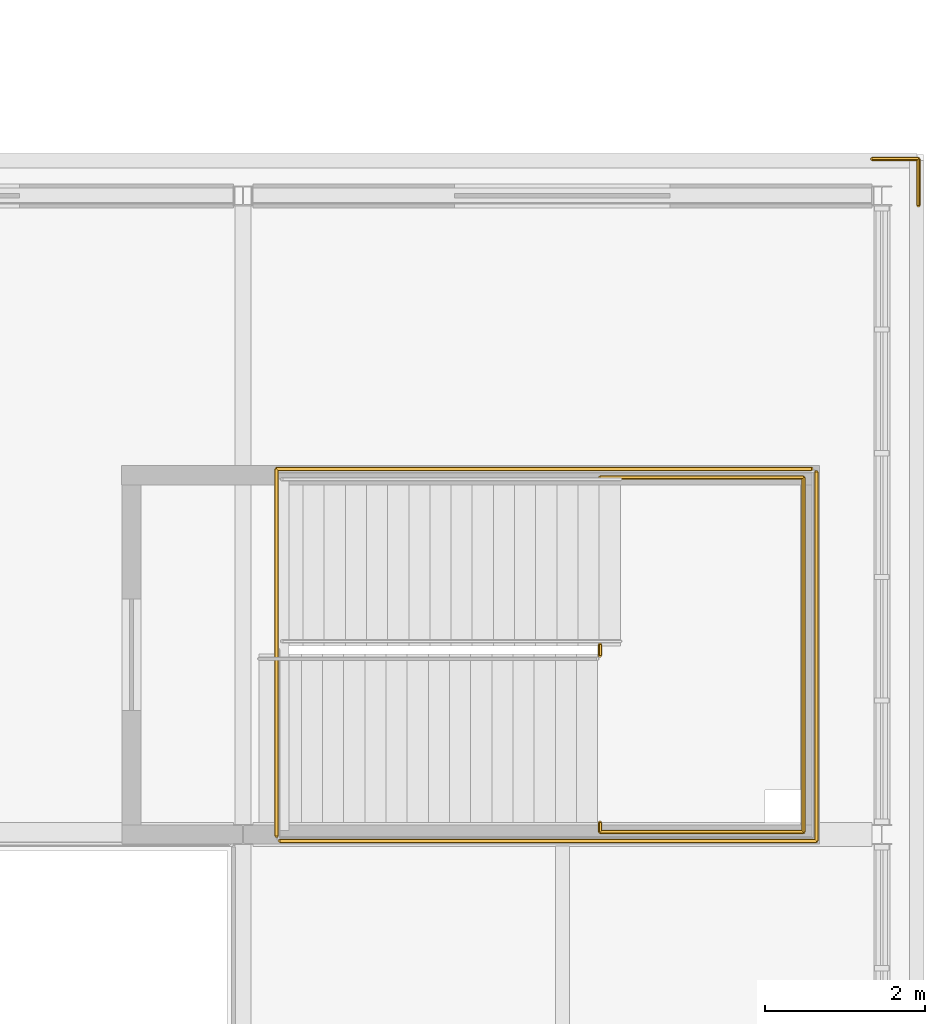
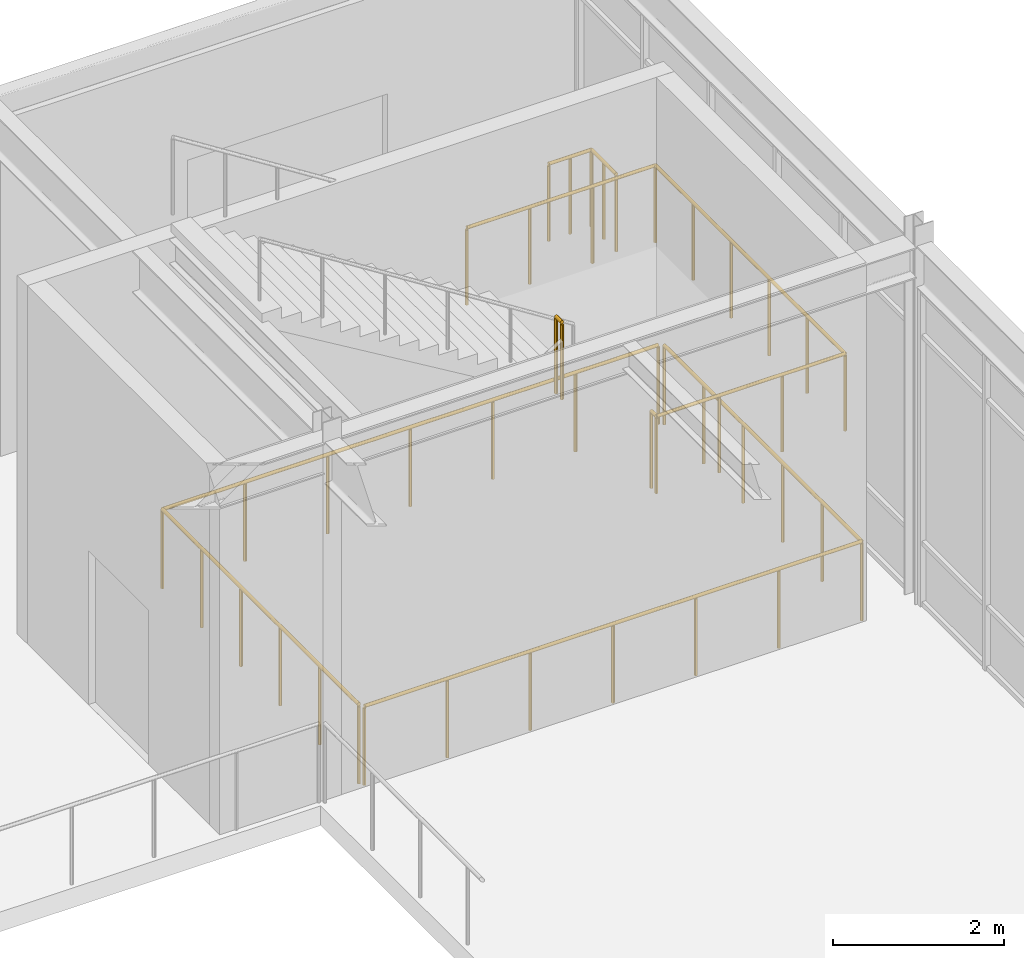
# One storey, part 183 of 184: 5 railings.
"""IFC4 building model written with IfcOpenShell, lengths in metres."""

from ifc_helpers import new_model, si_unit, direction, frame, origin, origin_2d, place, context, subcontext, project, spatial, circle, extrude, material, type_object, element, save


model = new_model("IFC4")

# Units and contexts
model_context = context("Model", 3, precision=1e-05, world=origin(), true_north=direction((0.0, 1.0)))
body_context = subcontext(model_context, "Body", "Model", "MODEL_VIEW")
ifc_project = project(units=[si_unit("LENGTHUNIT", "METRE"), si_unit("AREAUNIT", "SQUARE_METRE"), si_unit("VOLUMEUNIT", "CUBIC_METRE"), si_unit("PLANEANGLEUNIT", "RADIAN"), si_unit("MASSUNIT", "GRAM", prefix="KILO")], contexts=[model_context])

# Site, building, storey
site_placement = place(None, origin())
site = spatial("IfcSite", under=ifc_project, at=site_placement, CompositionType="ELEMENT")
building_placement = place(site_placement, origin())
building = spatial("IfcBuilding", under=site, at=building_placement, Name="Zhaolan Boulevard Law Courts", CompositionType="ELEMENT")
storey_placement = place(building_placement, frame((0.0, 0.0, 5.39990234375)))
storey = spatial("IfcBuildingStorey", under=building, at=storey_placement, Name="L01", CompositionType="ELEMENT", Elevation=5.39990234375)

# Railings
ifc_material_1 = material(Name="Powder-coated steel and tempered laminated glass", Category="steel")
railing_type_1 = type_object("IfcRailingType", Name="INTERIOR GUARDRAIL 1150", PredefinedType="GUARDRAIL", material=ifc_material_1)
railing_1_placement = place(storey_placement, frame((156.4599609375, 37.919921875, 0.0)))
element("IfcRailing", 1, at=railing_1_placement, inside=storey, type_object=railing_type_1, Name="Atrium Gallery Guardrail VG-1-V1-1A", PredefinedType="GUARDRAIL", context=body_context, shape_type="SweptSolid", body=[
    extrude(circle(Radius=0.02490234375, at=origin_2d()), frame((0.0, 0.0, 1.125), z_axis=(1.0, 0.0, 0.0), x_axis=(0.0, 1.0, 0.0)), (0.0, 0.0, 1.0), 6.719970703125),
    extrude(circle(Radius=0.02490234375, at=origin_2d()), frame((6.719970703125, 0.0, 1.125), z_axis=(0.0, 1.0, 0.0), x_axis=(-1.0, 0.0, 0.0)), (0.0, 0.0, 1.0), 4.6201171875),
    extrude(circle(Radius=0.02099609375, at=origin_2d()), origin(), (0.0, 0.0, 1.0), 1.099853515625),
    extrude(circle(Radius=0.02099609375, at=origin_2d()), frame((1.1201171875, 0.0, 0.0)), (0.0, 0.0, 1.0), 1.099853515625),
    extrude(circle(Radius=0.02099609375, at=origin_2d()), frame((2.239990234375, 0.0, 0.0)), (0.0, 0.0, 1.0), 1.099853515625),
    extrude(circle(Radius=0.02099609375, at=origin_2d()), frame((3.35986328125, 0.0, 0.0)), (0.0, 0.0, 1.0), 1.099853515625),
    extrude(circle(Radius=0.02099609375, at=origin_2d()), frame((4.47998046875, 0.0, 0.0)), (0.0, 0.0, 1.0), 1.099853515625),
    extrude(circle(Radius=0.02099609375, at=origin_2d()), frame((5.60009765625, 0.0, 0.0)), (0.0, 0.0, 1.0), 1.099853515625),
    extrude(circle(Radius=0.02099609375, at=origin_2d()), frame((6.719970703125, 0.0, 0.0)), (0.0, 0.0, 1.0), 1.099853515625),
    extrude(circle(Radius=0.02099609375, at=origin_2d()), frame((6.719970703125, 0.924072265625, 0.0)), (0.0, 0.0, 1.0), 1.099853515625),
    extrude(circle(Radius=0.02099609375, at=origin_2d()), frame((6.719970703125, 1.84814453125, 0.0)), (0.0, 0.0, 1.0), 1.099853515625),
    extrude(circle(Radius=0.02099609375, at=origin_2d()), frame((6.719970703125, 2.77197265625, 0.0)), (0.0, 0.0, 1.0), 1.099853515625),
    extrude(circle(Radius=0.02099609375, at=origin_2d()), frame((6.719970703125, 3.696044921875, 0.0)), (0.0, 0.0, 1.0), 1.099853515625),
    extrude(circle(Radius=0.02099609375, at=origin_2d()), frame((6.719970703125, 4.6201171875, 0.0)), (0.0, 0.0, 1.0), 1.099853515625),
])
railing_2_placement = place(storey_placement, frame((163.1201171875, 42.580078125, 0.0)))
element("IfcRailing", 2, at=railing_2_placement, inside=storey, type_object=railing_type_1, Name="Atrium Gallery Guardrail VG-1-V1-1B", PredefinedType="GUARDRAIL", context=body_context, shape_type="SweptSolid", body=[
    extrude(circle(Radius=0.02490234375, at=origin_2d()), frame((0.0, 0.0, 1.125), z_axis=(-1.0, 0.0, 0.0), x_axis=(0.0, -1.0, 0.0)), (0.0, 0.0, 1.0), 6.7001953125),
    extrude(circle(Radius=0.02490234375, at=origin_2d()), frame((-6.7001953125, 0.0, 1.125), z_axis=(0.0, -1.0, 0.0), x_axis=(1.0, 0.0, 0.0)), (0.0, 0.0, 1.0), 4.60009765625),
    extrude(circle(Radius=0.02099609375, at=origin_2d()), origin(), (0.0, 0.0, 1.0), 1.099853515625),
    extrude(circle(Radius=0.02099609375, at=origin_2d()), frame((-1.11669921875, 0.0, 0.0)), (0.0, 0.0, 1.0), 1.099853515625),
    extrude(circle(Radius=0.02099609375, at=origin_2d()), frame((-2.2333984375, 0.0, 0.0)), (0.0, 0.0, 1.0), 1.099853515625),
    extrude(circle(Radius=0.02099609375, at=origin_2d()), frame((-3.35009765625, 0.0, 0.0)), (0.0, 0.0, 1.0), 1.099853515625),
    extrude(circle(Radius=0.02099609375, at=origin_2d()), frame((-4.466796875, 0.0, 0.0)), (0.0, 0.0, 1.0), 1.099853515625),
    extrude(circle(Radius=0.02099609375, at=origin_2d()), frame((-5.58349609375, 0.0, 0.0)), (0.0, 0.0, 1.0), 1.099853515625),
    extrude(circle(Radius=0.02099609375, at=origin_2d()), frame((-6.7001953125, 0.0, 0.0)), (0.0, 0.0, 1.0), 1.099853515625),
    extrude(circle(Radius=0.02099609375, at=origin_2d()), frame((-6.7001953125, -0.919921875, 0.0)), (0.0, 0.0, 1.0), 1.099853515625),
    extrude(circle(Radius=0.02099609375, at=origin_2d()), frame((-6.7001953125, -1.840087890625, 0.0)), (0.0, 0.0, 1.0), 1.099853515625),
    extrude(circle(Radius=0.02099609375, at=origin_2d()), frame((-6.7001953125, -2.760009765625, 0.0)), (0.0, 0.0, 1.0), 1.099853515625),
    extrude(circle(Radius=0.02099609375, at=origin_2d()), frame((-6.7001953125, -3.68017578125, 0.0)), (0.0, 0.0, 1.0), 1.099853515625),
    extrude(circle(Radius=0.02099609375, at=origin_2d()), frame((-6.7001953125, -4.60009765625, 0.0)), (0.0, 0.0, 1.0), 1.099853515625),
])
ifc_material_2 = material(Name="Powder-coated steel baluster guardrail", Category="steel")
railing_type_2 = type_object("IfcRailingType", Name="STAIR WELL GUARDRAIL 1120", PredefinedType="GUARDRAIL", material=ifc_material_2)
railing_3_placement = place(storey_placement, frame((160.469970703125, 38.14990234375, 2.7001953125)))
element("IfcRailing", 3, at=railing_3_placement, inside=storey, type_object=railing_type_2, Name="Half-Landing Guardrail SG-ST07-L01-M", PredefinedType="GUARDRAIL", context=body_context, shape_type="SweptSolid", body=[
    extrude(circle(Radius=0.02392578125, at=origin_2d()), frame((0.0, 0.0, 1.09619140625), z_axis=(0.0, -1.0, 0.0), x_axis=(1.0, 0.0, 0.0)), (0.0, 0.0, 1.0), 0.119873046875),
    extrude(circle(Radius=0.02392578125, at=origin_2d()), frame((0.0, -0.119873046875, 1.09619140625), z_axis=(1.0, 0.0, 0.0), x_axis=(0.0, 1.0, 0.0)), (0.0, 0.0, 1.0), 2.550048828125),
    extrude(circle(Radius=0.02392578125, at=origin_2d()), frame((2.550048828125, -0.119873046875, 1.09619140625), z_axis=(0.0, 1.0, 0.0), x_axis=(-1.0, 0.0, 0.0)), (0.0, 0.0, 1.0), 4.43994140625),
    extrude(circle(Radius=0.02392578125, at=origin_2d()), frame((2.550048828125, 4.320068359375, 1.09619140625), z_axis=(-1.0, 0.0, 0.0), x_axis=(0.0, -1.0, 0.0)), (0.0, 0.0, 1.0), 2.550048828125),
    extrude(circle(Radius=0.02099609375, at=origin_2d()), origin(), (0.0, 0.0, 1.0), 1.072021484375),
    extrude(circle(Radius=0.02099609375, at=origin_2d()), frame((0.0, -0.119873046875, 0.0)), (0.0, 0.0, 1.0), 1.072021484375),
    extrude(circle(Radius=0.02099609375, at=origin_2d()), frame((0.85009765625, -0.119873046875, 0.0)), (0.0, 0.0, 1.0), 1.072021484375),
    extrude(circle(Radius=0.02099609375, at=origin_2d()), frame((1.699951171875, -0.119873046875, 0.0)), (0.0, 0.0, 1.0), 1.072021484375),
    extrude(circle(Radius=0.02099609375, at=origin_2d()), frame((2.550048828125, -0.119873046875, 0.0)), (0.0, 0.0, 1.0), 1.072021484375),
    extrude(circle(Radius=0.02099609375, at=origin_2d()), frame((2.550048828125, 0.76806640625, 0.0)), (0.0, 0.0, 1.0), 1.072021484375),
    extrude(circle(Radius=0.02099609375, at=origin_2d()), frame((2.550048828125, 1.656005859375, 0.0)), (0.0, 0.0, 1.0), 1.072021484375),
    extrude(circle(Radius=0.02099609375, at=origin_2d()), frame((2.550048828125, 2.544189453125, 0.0)), (0.0, 0.0, 1.0), 1.072021484375),
    extrude(circle(Radius=0.02099609375, at=origin_2d()), frame((2.550048828125, 3.43212890625, 0.0)), (0.0, 0.0, 1.0), 1.072021484375),
    extrude(circle(Radius=0.02099609375, at=origin_2d()), frame((2.550048828125, 4.320068359375, 0.0)), (0.0, 0.0, 1.0), 1.072021484375),
    extrude(circle(Radius=0.02099609375, at=origin_2d()), frame((1.699951171875, 4.320068359375, 0.0)), (0.0, 0.0, 1.0), 1.072021484375),
    extrude(circle(Radius=0.02099609375, at=origin_2d()), frame((0.85009765625, 4.320068359375, 0.0)), (0.0, 0.0, 1.0), 1.072021484375),
    extrude(circle(Radius=0.02099609375, at=origin_2d()), frame((0.0, 4.320068359375, 0.0)), (0.0, 0.0, 1.0), 1.072021484375),
])
railing_4_placement = place(storey_placement, frame((160.469970703125, 40.239990234375, 2.7001953125)))
element("IfcRailing", 4, at=railing_4_placement, inside=storey, type_object=railing_type_2, Name="Half-Landing Well Guardrail SG-ST07-L01-W", PredefinedType="GUARDRAIL", context=body_context, shape_type="SweptSolid", body=[
    extrude(circle(Radius=0.02392578125, at=origin_2d()), frame((0.0, 0.0, 1.09619140625), z_axis=(0.0, 1.0, 0.0), x_axis=(-1.0, 0.0, 0.0)), (0.0, 0.0, 1.0), 0.139892578125),
    extrude(circle(Radius=0.02099609375, at=origin_2d()), origin(), (0.0, 0.0, 1.0), 1.072021484375),
    extrude(circle(Radius=0.02099609375, at=origin_2d()), frame((0.0, 0.139892578125, 0.0)), (0.0, 0.0, 1.0), 1.072021484375),
])
railing_5_placement = place(storey_placement, frame((163.8798828125, 46.4599609375, 0.0)))
element("IfcRailing", 5, at=railing_5_placement, inside=storey, type_object=railing_type_2, Name="Slab Corner Guardrail GR-CRN-L01-V1NE", PredefinedType="GUARDRAIL", context=body_context, shape_type="SweptSolid", body=[
    extrude(circle(Radius=0.02392578125, at=origin_2d()), frame((0.0, 0.0, 1.09619140625), z_axis=(1.0, 0.0, 0.0), x_axis=(0.0, 1.0, 0.0)), (0.0, 0.0, 1.0), 0.580078125),
    extrude(circle(Radius=0.02392578125, at=origin_2d()), frame((0.580078125, 0.0, 1.09619140625), z_axis=(0.0, -1.0, 0.0), x_axis=(1.0, 0.0, 0.0)), (0.0, 0.0, 1.0), 0.580078125),
    extrude(circle(Radius=0.02099609375, at=origin_2d()), origin(), (0.0, 0.0, 1.0), 1.072021484375),
    extrude(circle(Radius=0.02099609375, at=origin_2d()), frame((0.2900390625, 0.0, 0.0)), (0.0, 0.0, 1.0), 1.072021484375),
    extrude(circle(Radius=0.02099609375, at=origin_2d()), frame((0.580078125, 0.0, 0.0)), (0.0, 0.0, 1.0), 1.072021484375),
    extrude(circle(Radius=0.02099609375, at=origin_2d()), frame((0.580078125, -0.2900390625, 0.0)), (0.0, 0.0, 1.0), 1.072021484375),
    extrude(circle(Radius=0.02099609375, at=origin_2d()), frame((0.580078125, -0.580078125, 0.0)), (0.0, 0.0, 1.0), 1.072021484375),
])

save(model, "model.ifc")
